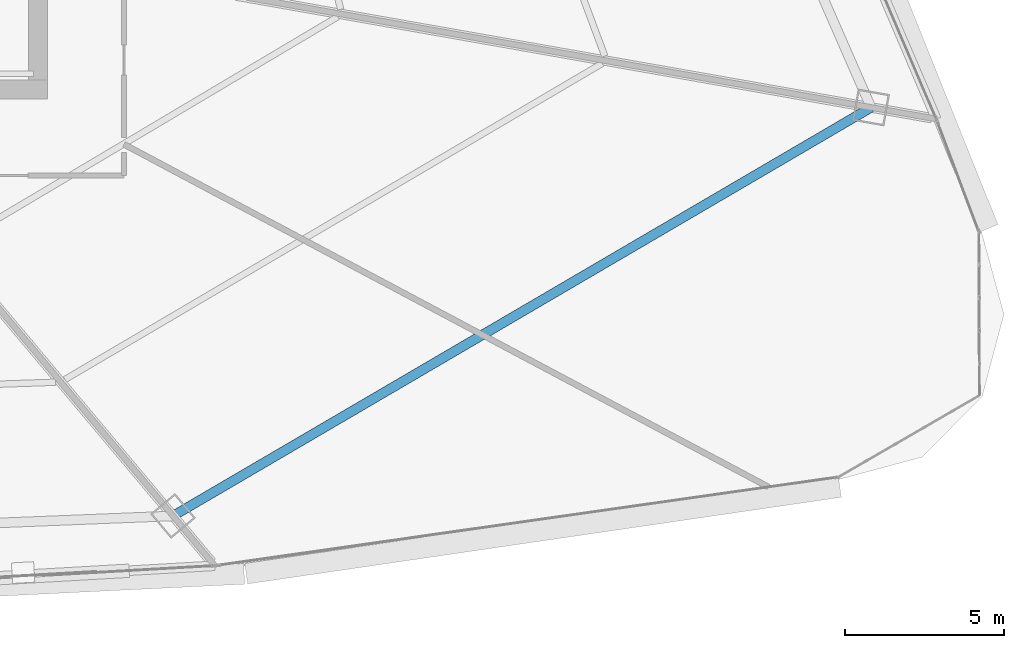
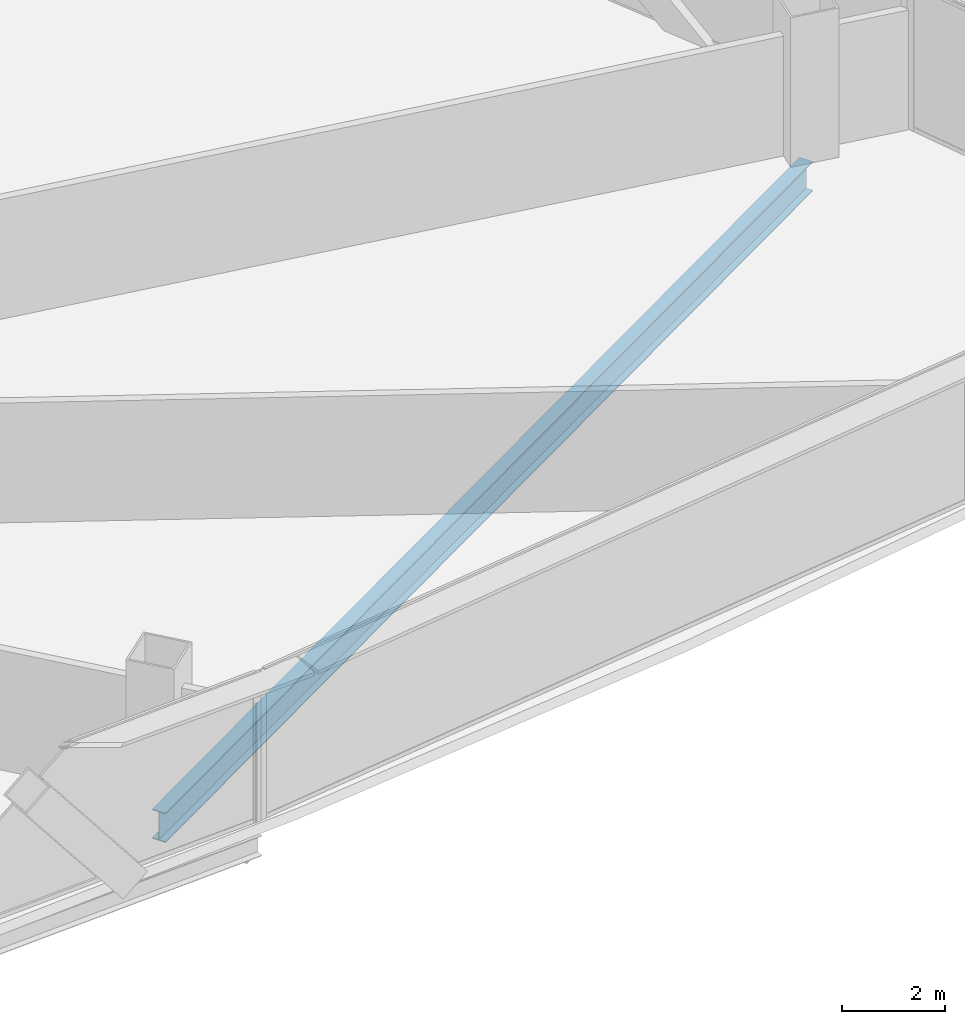
# One storey, part 21 of 39: 1 beam.
"""IFC4 building model written with IfcOpenShell, lengths in metres."""

from ifc_helpers import new_model, si_unit, direction, frame, origin, origin_2d, place, context, subcontext, project, spatial, i_section, extrude, source, transform, mapped, material, material_profile, profile_set, type_object, element, save


model = new_model("IFC4")

# Units and contexts
model_context = context("Model", 3, precision=1e-05, world=origin(), true_north=direction((0.0, 1.0)))
body_context = subcontext(model_context, "Body", "Model", "MODEL_VIEW")
ifc_project = project(units=[si_unit("LENGTHUNIT", "METRE"), si_unit("AREAUNIT", "SQUARE_METRE"), si_unit("VOLUMEUNIT", "CUBIC_METRE"), si_unit("PLANEANGLEUNIT", "RADIAN"), si_unit("MASSUNIT", "GRAM", prefix="KILO"), si_unit("THERMODYNAMICTEMPERATUREUNIT", "KELVIN"), si_unit("POWERUNIT", "WATT")], contexts=[model_context])

# Site, building, storey
site_placement = place(None, origin())
site = spatial("IfcSite", under=ifc_project, at=site_placement, CompositionType="ELEMENT")
building_placement = place(site_placement, origin())
building = spatial("IfcBuilding", under=site, at=building_placement, Name="Yunzhuo Pagoda Commons", CompositionType="ELEMENT")
storey_placement = place(building_placement, frame((0.0, 0.0, 100.179931640625)))
storey = spatial("IfcBuildingStorey", under=building, at=storey_placement, Name="L25", CompositionType="ELEMENT", Elevation=100.179931640625)

# Beam
ifc_material = material(Name="Structural steel Q355B", Category="steel")
ifc_material_profile = material_profile(ifc_material, i_section(OverallWidth=0.300048828125, OverallDepth=0.699951171875, WebThickness=0.012939453125, FlangeThickness=0.02392578125, at=origin_2d()), Name="Structural steel Q355B")
ifc_profile_set = profile_set([ifc_material_profile], Name="Structural steel Q355B")
beam_type = type_object("IfcBeamType", Name="B-RG1 Beam HN 700x300x13x24", PredefinedType="BEAM", material=ifc_profile_set)
shared_shape = source(origin(), body_context, "Body", "SweptSolid", [
    extrude(i_section(OverallWidth=0.300048828125, OverallDepth=0.699951171875, WebThickness=0.012939453125, FlangeThickness=0.02392578125, at=origin_2d()), origin(), (0.0, 0.0, 1.0), 25.3935546875),
])
beam_placement = place(storey_placement, frame((64.43603515625, 14.1123046875, -0.60986328125), z_axis=(0.863085207128, 0.505058338449, 0.0), x_axis=(-0.505058338449, 0.863085207128, 0.0)))
element("IfcBeam", 1, at=beam_placement, inside=storey, type_object=beam_type, Name="L25 column-ring beam 4", PredefinedType="BEAM", context=body_context, shape_type="MappedRepresentation", body=[
    mapped(shared_shape, transform((0.0, 0.0, 0.0), scale=1.0)),
])

save(model, "model.ifc")
